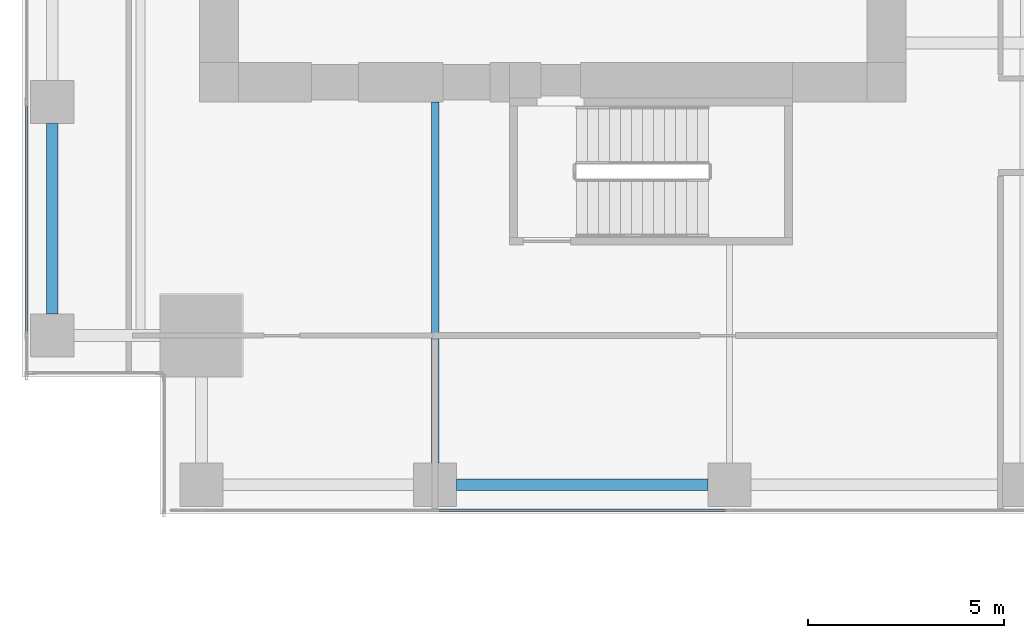
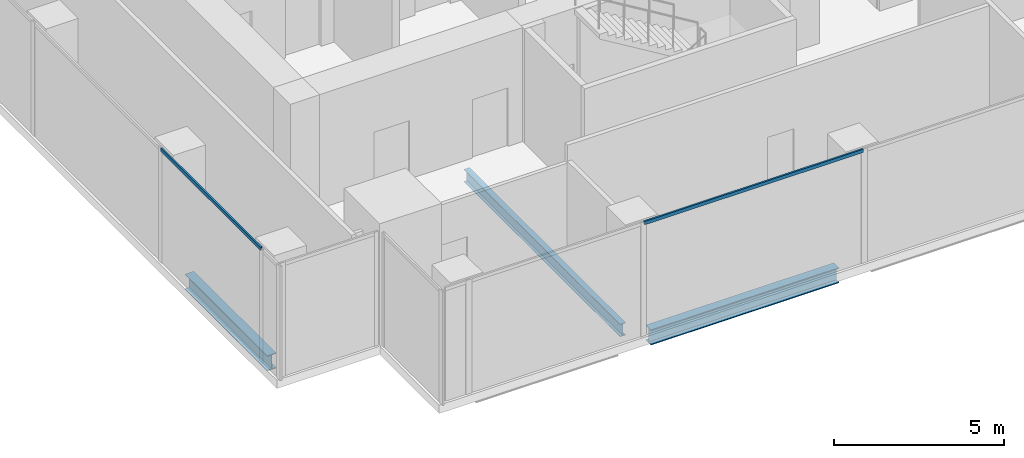
# One storey, part 3 of 34: 3 beams, 2 members, 2 elements without a shape of their own.
"""IFC4 building model written with IfcOpenShell, lengths in metres."""

import ifcopenshell
import ifcopenshell.guid

model = None  # the IFC model being written
_history = None  # IfcOwnerHistory: only IFC2X3 demands one
_inside = {}  # id of a spatial element -> (the spatial element, [elements in it])
_under = {}  # id of a project, library or spatial element -> (it, [spatial elements below it])
_declared = {}  # id of a project -> (the project, [libraries it declares])
_typed = {}  # id of a type object -> (the type object, [elements of that type])
_made_of = {}  # id of a material, layer set ... -> (it, [elements and type objects made of it])


def new_model(schema):
    """Start an empty IFC model of exactly this schema.

    Asked for "IFC4X3", IfcOpenShell would pick the latest addendum, in which some entities
    have other attributes; the version numbers below select the first issue.
    IFC2X3 requires an IfcOwnerHistory on every rooted entity: one is made here for all.
    """
    global model, _history
    if schema == "IFC4X3":
        model = ifcopenshell.file(schema_version=(4, 3, 0, 0))
    else:
        model = ifcopenshell.file(schema=schema)
    _inside.clear()
    _under.clear()
    _declared.clear()
    _typed.clear()
    _made_of.clear()
    _history = None
    if model.schema == "IFC2X3":
        org = make("IfcOrganization", Name="unknown")
        user = make(
            "IfcPersonAndOrganization",
            ThePerson=make("IfcPerson", FamilyName="unknown"),
            TheOrganization=org,
        )
        app = make(
            "IfcApplication",
            ApplicationDeveloper=org,
            Version="unknown",
            ApplicationFullName="unknown",
            ApplicationIdentifier="unknown",
        )
        _history = make(
            "IfcOwnerHistory",
            OwningUser=user,
            OwningApplication=app,
            ChangeAction="ADDED",
            CreationDate=0,
        )
    return model


def make(cls, **values):
    """One entity of the class cls with the attributes given. An attribute that is None is left unset."""
    return model.create_entity(
        cls, **{name: value for name, value in values.items() if value is not None}
    )


def rooted(cls, **values):
    """An entity with a GlobalId (a new one), such as an element, a storey or a relation."""
    return make(cls, GlobalId=ifcopenshell.guid.new(), OwnerHistory=_history, **values)


def si_unit(unit_type, name, prefix=None):
    """IfcSIUnit, for example si_unit("LENGTHUNIT", "METRE", prefix="MILLI")."""
    return make("IfcSIUnit", UnitType=unit_type, Prefix=prefix, Name=name)


def assignment(units):
    """IfcUnitAssignment: the units of a project."""
    return None if units is None else make("IfcUnitAssignment", Units=units)


def point(xyz):
    """IfcCartesianPoint."""
    return None if xyz is None else make("IfcCartesianPoint", Coordinates=xyz)


def direction(xyz):
    """IfcDirection."""
    return None if xyz is None else make("IfcDirection", DirectionRatios=xyz)


def frame(location, z_axis=None, x_axis=None):
    """IfcAxis2Placement3D, a coordinate frame: its origin and axes. An axis left out is left unset."""
    return make(
        "IfcAxis2Placement3D",
        Location=point(location),
        Axis=direction(z_axis),
        RefDirection=direction(x_axis),
    )


def frame_2d(location, x_axis=None):
    """IfcAxis2Placement2D, a coordinate frame in the plane: its origin and x axis."""
    return make(
        "IfcAxis2Placement2D", Location=point(location), RefDirection=direction(x_axis)
    )


def origin():
    """The frame at (0, 0, 0) with its axes left unset."""
    return frame((0.0, 0.0, 0.0))


def origin_2d():
    """The frame at (0, 0) in the plane with its x axis left unset."""
    return frame_2d((0.0, 0.0))


def place(relative_to, where):
    """IfcLocalPlacement: puts the frame where relative to a parent placement (None: the world)."""
    return make(
        "IfcLocalPlacement", PlacementRelTo=relative_to, RelativePlacement=where
    )


def context(
    kind, dimensions, precision=None, world=None, true_north=None, identifier=None
):
    """IfcGeometricRepresentationContext, for example the 3D "Model" context."""
    return make(
        "IfcGeometricRepresentationContext",
        ContextIdentifier=identifier,
        ContextType=kind,
        CoordinateSpaceDimension=dimensions,
        Precision=precision,
        WorldCoordinateSystem=world,
        TrueNorth=true_north,
    )


def subcontext(parent, identifier, kind, view, scale=None):
    """IfcGeometricRepresentationSubContext, for example "Body" below "Model"."""
    return make(
        "IfcGeometricRepresentationSubContext",
        ContextIdentifier=identifier,
        ContextType=kind,
        ParentContext=parent,
        TargetScale=scale,
        TargetView=view,
    )


def project(units=None, contexts=None):
    """IfcProject with its units and contexts."""
    return rooted(
        "IfcProject",
        Name="project",
        RepresentationContexts=contexts,
        UnitsInContext=assignment(units),
    )


def spatial(cls, under=None, at=None, **own):
    """A site, building, storey or space (cls), placed at a placement, below another one or the project."""
    s = rooted(cls, ObjectPlacement=at, **own)
    if under is not None:
        _under.setdefault(under.id(), (under, []))[1].append(s)
    return s


def profile(cls, at=None, kind="AREA", **sizes):
    """A parametric profile (cls). Its sizes go by their IFC names, for example OverallWidth=200.0."""
    return make(cls, ProfileType=kind, Position=at, **sizes)


def hollow_rectangle(**sizes):
    """IfcRectangleHollowProfileDef."""
    return profile("IfcRectangleHollowProfileDef", **sizes)


def i_section(**sizes):
    """IfcIShapeProfileDef."""
    return profile("IfcIShapeProfileDef", **sizes)


def extrude(swept, where, along, depth):
    """IfcExtrudedAreaSolid: the profile swept, set in the frame where, extruded along a direction by depth."""
    return make(
        "IfcExtrudedAreaSolid",
        SweptArea=swept,
        Position=where,
        ExtrudedDirection=direction(along),
        Depth=depth,
    )


def shape(context_of_items, identifier, shape_type, items):
    """IfcShapeRepresentation: the items that make up one representation, for example the "Body"."""
    return make(
        "IfcShapeRepresentation",
        ContextOfItems=context_of_items,
        RepresentationIdentifier=identifier,
        RepresentationType=shape_type,
        Items=items,
    )


def source(mapping_origin, context_of_items, identifier, shape_type, items):
    """IfcRepresentationMap: a shape defined once, which mapped items show again and again."""
    return make(
        "IfcRepresentationMap",
        MappingOrigin=mapping_origin,
        MappedRepresentation=shape(context_of_items, identifier, shape_type, items),
    )


def transform(
    local_origin,
    x_axis=None,
    y_axis=None,
    z_axis=None,
    scale=None,
    scale2=None,
    scale3=None,
    uniform=True,
):
    """IfcCartesianTransformationOperator3D, or its non-uniform kind. x_axis, y_axis, z_axis: its Axis1, 2, 3."""
    if uniform:
        return make(
            "IfcCartesianTransformationOperator3D",
            Axis1=direction(x_axis),
            Axis2=direction(y_axis),
            LocalOrigin=point(local_origin),
            Scale=scale,
            Axis3=direction(z_axis),
        )
    return make(
        "IfcCartesianTransformationOperator3DnonUniform",
        Axis1=direction(x_axis),
        Axis2=direction(y_axis),
        LocalOrigin=point(local_origin),
        Scale=scale,
        Axis3=direction(z_axis),
        Scale2=scale2,
        Scale3=scale3,
    )


def mapped(mapping_source, mapping_target):
    """IfcMappedItem: shows the shape of a source again, moved by a transform."""
    return make(
        "IfcMappedItem", MappingSource=mapping_source, MappingTarget=mapping_target
    )


def material(Name=None, Category=None):
    """IfcMaterial."""
    return make("IfcMaterial", Name=Name, Category=Category)


def material_profile(
    of_material, cross_section, Name=None, Category=None, Priority=None
):
    """IfcMaterialProfile: a cross section and its material."""
    return make(
        "IfcMaterialProfile",
        Name=Name,
        Material=of_material,
        Profile=cross_section,
        Priority=Priority,
        Category=Category,
    )


def profile_set(profiles, Name=None, composite=None):
    """IfcMaterialProfileSet."""
    return make(
        "IfcMaterialProfileSet",
        Name=Name,
        MaterialProfiles=profiles,
        CompositeProfile=composite,
    )


def made_of(thing, what):
    """Note that an element or type object is made of a material, layer set ...; save() writes the relation."""
    if what is not None:
        _made_of.setdefault(what.id(), (what, []))[1].append(thing)
    return thing


def type_object(cls, material=None, **own):
    """A type object (cls), such as IfcWallType, which elements share."""
    return made_of(rooted(cls, **own), material)


def element(
    cls,
    number,
    at=None,
    inside=None,
    cuts=None,
    type_object=None,
    material=None,
    context=None,
    identifier="Body",
    shape_type=None,
    held_by="IfcProductDefinitionShape",
    body=None,
    shapes=None,
    **own,
):
    """One element of the class cls, such as IfcWall. Its Tag is "e" and its number.

    at: its placement. inside: the storey or other place that contains it. cuts: it is an
    opening in that element (IfcRelVoidsElement). A single representation is given by context,
    identifier, shape_type and body (its items); several are given by shapes. held_by: the class
    of the entity that holds the representations. save() writes the other relations.
    """
    e = rooted(cls, Tag="e%d" % number, ObjectPlacement=at, **own)
    if body is not None:
        shapes = [shape(context, identifier, shape_type, body)]
    if shapes is not None:
        e.Representation = make(held_by, Representations=shapes)
    if inside is not None:
        _inside.setdefault(inside.id(), (inside, []))[1].append(e)
    if cuts is not None:
        rooted(
            "IfcRelVoidsElement", RelatingBuildingElement=cuts, RelatedOpeningElement=e
        )
    if type_object is not None:
        _typed.setdefault(type_object.id(), (type_object, []))[1].append(e)
    return made_of(e, material)


def aggregate(whole, parts):
    """IfcRelAggregates: a whole, such as a stair, and the parts it consists of."""
    return rooted("IfcRelAggregates", RelatingObject=whole, RelatedObjects=parts)


def save(model, path):
    """Write the relations noted so far, then the file.

    IfcRelAggregates (storeys below a building ...), IfcRelContainedInSpatialStructure (elements
    in a storey), IfcRelDefinesByType, IfcRelAssociatesMaterial and IfcRelDeclares: one each for
    every whole, place, type object, material and project.
    """
    for whole, parts in _under.values():
        aggregate(whole, parts)
    for where, things in _inside.values():
        rooted(
            "IfcRelContainedInSpatialStructure",
            RelatedElements=things,
            RelatingStructure=where,
        )
    for kind, things in _typed.values():
        rooted("IfcRelDefinesByType", RelatedObjects=things, RelatingType=kind)
    for what, things in _made_of.values():
        rooted("IfcRelAssociatesMaterial", RelatedObjects=things, RelatingMaterial=what)
    for by, libraries in _declared.values():
        rooted("IfcRelDeclares", RelatingContext=by, RelatedDefinitions=libraries)
    model.write(path)


model = new_model("IFC4")

# Units and contexts
model_context = context("Model", 3, precision=1e-05, world=origin(), true_north=direction((0.0, 1.0)))
body_context = subcontext(model_context, "Body", "Model", "MODEL_VIEW")
ifc_project = project(units=[si_unit("LENGTHUNIT", "METRE"), si_unit("AREAUNIT", "SQUARE_METRE"), si_unit("VOLUMEUNIT", "CUBIC_METRE"), si_unit("PLANEANGLEUNIT", "RADIAN"), si_unit("MASSUNIT", "GRAM", prefix="KILO")], contexts=[model_context])

# Site, building, storey
site_placement = place(None, origin())
site = spatial("IfcSite", under=ifc_project, at=site_placement, CompositionType="ELEMENT")
building_placement = place(site_placement, origin())
building = spatial("IfcBuilding", under=site, at=building_placement, Name="Khomas Fold Tower", CompositionType="ELEMENT")
storey_placement = place(building_placement, frame((0.0, 0.0, 145.5)))
storey = spatial("IfcBuildingStorey", under=building, at=storey_placement, Name="L31", CompositionType="ELEMENT", Elevation=145.5)

# Beams
ifc_material_1 = material(Name="Steel S355", Category="steel")
ifc_material_profile_1 = material_profile(ifc_material_1, i_section(OverallWidth=0.300048828125, OverallDepth=0.550048828125, WebThickness=0.014892578125, FlangeThickness=0.029052734375, at=origin_2d()), Name="HE 550 B")
ifc_profile_set_1 = profile_set([ifc_material_profile_1], Name="Steel S355")
beam_type_1 = type_object("IfcBeamType", Name="HE 550 B spandrel SB2", PredefinedType="SPANDREL", material=ifc_profile_set_1)
shared_shape_1 = source(origin(), body_context, "Body", "SweptSolid", [
    extrude(i_section(OverallWidth=0.300048828125, OverallDepth=0.550048828125, WebThickness=0.014892578125, FlangeThickness=0.029052734375, at=origin_2d()), origin(), (0.0, 0.0, 1.0), 4.849853515625),
])
beam_1_placement = place(storey_placement, frame((2.25, 6.60009765625, -0.574951171875), z_axis=(0.0, 1.0, 0.0), x_axis=(-1.0, 0.0, 0.0)))
element("IfcBeam", 1, at=beam_1_placement, inside=storey, type_object=beam_type_1, Name="SB2", PredefinedType="SPANDREL", context=body_context, shape_type="MappedRepresentation", body=[
    mapped(shared_shape_1, transform((0.0, 0.0, 0.0))),
])
shared_shape_2 = source(origin(), body_context, "Body", "SweptSolid", [
    extrude(i_section(OverallWidth=0.300048828125, OverallDepth=0.550048828125, WebThickness=0.014892578125, FlangeThickness=0.029052734375, at=origin_2d()), origin(), (0.0, 0.0, 1.0), 6.39990234375),
])
beam_2_placement = place(storey_placement, frame((12.550048828125, 2.25, -0.574951171875), z_axis=(1.0, 0.0, 0.0), x_axis=(0.0, 1.0, 0.0)))
element("IfcBeam", 2, at=beam_2_placement, inside=storey, type_object=beam_type_1, Name="SB2", PredefinedType="SPANDREL", context=body_context, shape_type="MappedRepresentation", body=[
    mapped(shared_shape_2, transform((0.0, 0.0, 0.0))),
])
ifc_material_2 = material(Name="Steel S355", Category="steel")
ifc_material_profile_2 = material_profile(ifc_material_2, i_section(OverallWidth=0.18994140625, OverallDepth=0.449951171875, WebThickness=0.009521484375, FlangeThickness=0.0146484375, at=origin_2d()), Name="IPE 450")
ifc_profile_set_2 = profile_set([ifc_material_profile_2], Name="Steel S355")
beam_type_2 = type_object("IfcBeamType", Name="IPE 450 beam JB4", PredefinedType="BEAM", material=ifc_profile_set_2)
shared_shape_3 = source(origin(), body_context, "Body", "SweptSolid", [
    extrude(i_section(OverallWidth=0.18994140625, OverallDepth=0.449951171875, WebThickness=0.009521484375, FlangeThickness=0.0146484375, at=origin_2d()), origin(), (0.0, 0.0, 1.0), 9.199951171875),
])
beam_3_placement = place(storey_placement, frame((12.0, 2.800048828125, -0.52490234375), z_axis=(0.0, 1.0, 0.0), x_axis=(-1.0, 0.0, 0.0)))
element("IfcBeam", 3, at=beam_3_placement, inside=storey, type_object=beam_type_2, Name="JB4", PredefinedType="BEAM", context=body_context, shape_type="MappedRepresentation", body=[
    mapped(shared_shape_3, transform((0.0, 0.0, 0.0))),
])

# Curtain wall, member
ifc_material_3 = material(Name="Aluminium framed double glazing", Category="aluminium")
curtain_wall_type = type_object("IfcCurtainWallType", Name="SK-Unitised clear-glass wall, growing floors CW1", PredefinedType="NOTDEFINED", material=ifc_material_3)
curtain_wall_1_placement = place(storey_placement, origin())
curtain_wall_1 = element("IfcCurtainWall", 4, at=curtain_wall_1_placement, inside=storey, type_object=curtain_wall_type, Name="CW1 run L31 00-0", PredefinedType="NOTDEFINED")
ifc_material_4 = material(Name="Aluminium", Category="aluminium")
ifc_material_profile_3 = material_profile(ifc_material_4, hollow_rectangle(XDim=0.06005859375, YDim=0.1201171875, WallThickness=0.00390625, at=origin_2d()), Name="SK-Unitised clear-glass wall, growing floors transom CW1-T")
ifc_profile_set_3 = profile_set([ifc_material_profile_3], Name="Aluminium")
member_type = type_object("IfcMemberType", Name="SK-Unitised clear-glass wall, growing floors transom CW1-T", PredefinedType="USERDEFINED", material=ifc_profile_set_3)
shared_shape_4 = source(origin(), body_context, "Body", "SweptSolid", [
    extrude(hollow_rectangle(XDim=0.06005859375, YDim=0.1201171875, WallThickness=0.00390625, at=origin_2d()), origin(), (0.0, 0.0, 1.0), 7.43994140625),
])
member_1_placement = place(storey_placement, frame((12.030029296875, 1.60009765625, 4.0400390625), z_axis=(1.0, 0.0, 0.0), x_axis=(0.0, 1.0, 0.0)))
member_1 = element("IfcMember", 5, at=member_1_placement, type_object=member_type, Name="CW1 transom 3", ObjectType="TRANSOM", PredefinedType="USERDEFINED", context=body_context, shape_type="MappedRepresentation", body=[
    mapped(shared_shape_4, transform((0.0, 0.0, 0.0))),
])
aggregate(curtain_wall_1, [member_1])

curtain_wall_2_placement = place(storey_placement, origin())
curtain_wall_2 = element("IfcCurtainWall", 6, at=curtain_wall_2_placement, inside=storey, type_object=curtain_wall_type, Name="CW1 run L31 09-0", PredefinedType="NOTDEFINED")
shared_shape_5 = source(origin(), body_context, "Body", "SweptSolid", [
    extrude(hollow_rectangle(XDim=0.06005859375, YDim=0.1201171875, WallThickness=0.00390625, at=origin_2d()), origin(), (0.0, 0.0, 1.0), 5.889892578125),
])
member_2_placement = place(storey_placement, frame((1.60009765625, 11.969970703125, 4.0400390625), z_axis=(0.0, -1.0, 0.0), x_axis=(1.0, 0.0, 0.0)))
member_2 = element("IfcMember", 7, at=member_2_placement, type_object=member_type, Name="CW1 transom 7", ObjectType="TRANSOM", PredefinedType="USERDEFINED", context=body_context, shape_type="MappedRepresentation", body=[
    mapped(shared_shape_5, transform((0.0, 0.0, 0.0))),
])
aggregate(curtain_wall_2, [member_2])

save(model, "model.ifc")
